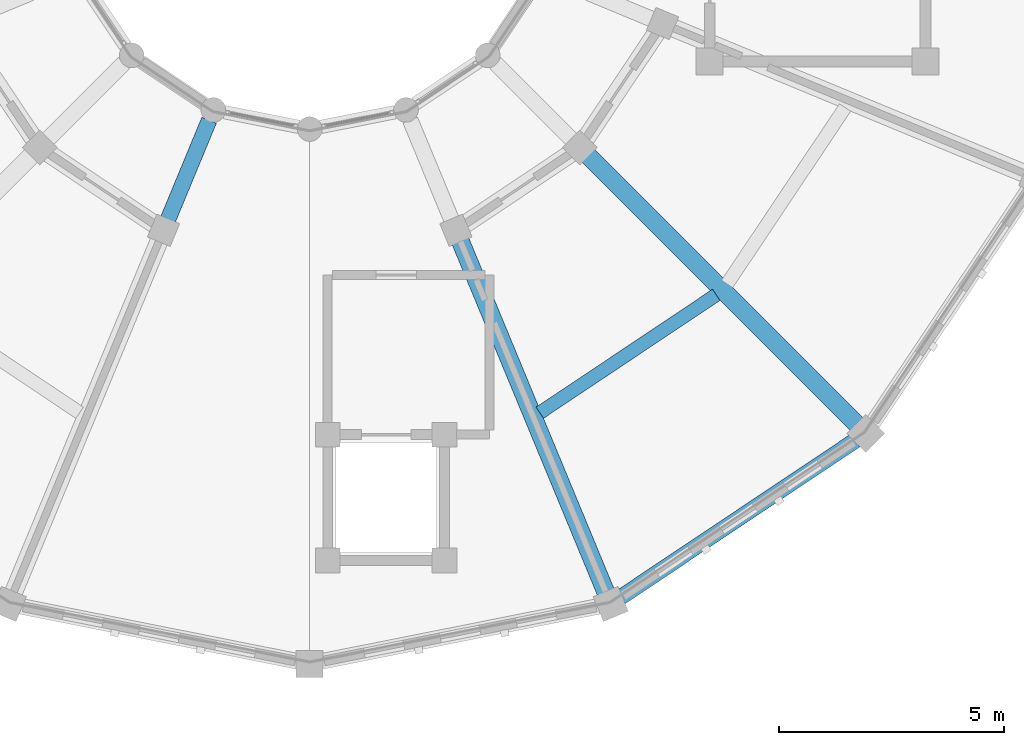
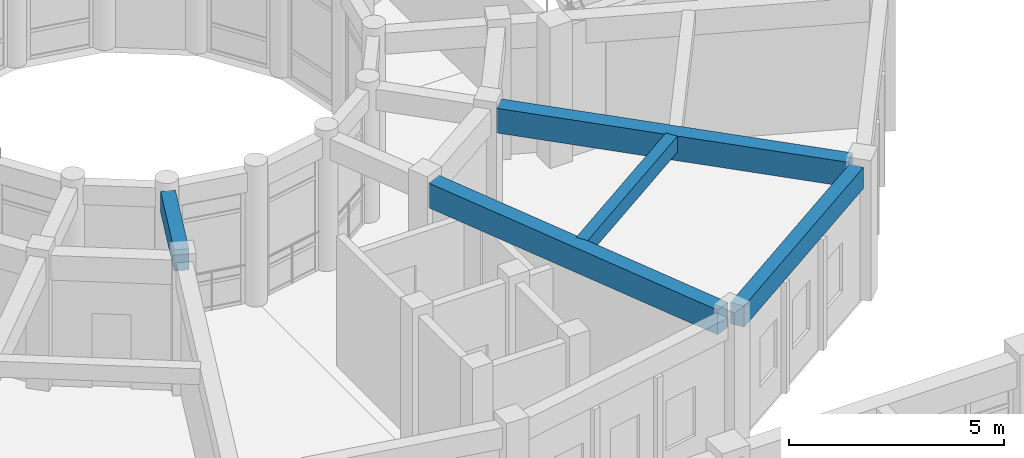
# One storey, part 54 of 159: 5 beams.
"""IFC4 building model written with IfcOpenShell, lengths in metres."""

import ifcopenshell
import ifcopenshell.guid

model = None  # the IFC model being written
_history = None  # IfcOwnerHistory: only IFC2X3 demands one
_inside = {}  # id of a spatial element -> (the spatial element, [elements in it])
_under = {}  # id of a project, library or spatial element -> (it, [spatial elements below it])
_declared = {}  # id of a project -> (the project, [libraries it declares])
_typed = {}  # id of a type object -> (the type object, [elements of that type])
_made_of = {}  # id of a material, layer set ... -> (it, [elements and type objects made of it])


def new_model(schema):
    """Start an empty IFC model of exactly this schema.

    Asked for "IFC4X3", IfcOpenShell would pick the latest addendum, in which some entities
    have other attributes; the version numbers below select the first issue.
    IFC2X3 requires an IfcOwnerHistory on every rooted entity: one is made here for all.
    """
    global model, _history
    if schema == "IFC4X3":
        model = ifcopenshell.file(schema_version=(4, 3, 0, 0))
    else:
        model = ifcopenshell.file(schema=schema)
    _inside.clear()
    _under.clear()
    _declared.clear()
    _typed.clear()
    _made_of.clear()
    _history = None
    if model.schema == "IFC2X3":
        org = make("IfcOrganization", Name="unknown")
        user = make(
            "IfcPersonAndOrganization",
            ThePerson=make("IfcPerson", FamilyName="unknown"),
            TheOrganization=org,
        )
        app = make(
            "IfcApplication",
            ApplicationDeveloper=org,
            Version="unknown",
            ApplicationFullName="unknown",
            ApplicationIdentifier="unknown",
        )
        _history = make(
            "IfcOwnerHistory",
            OwningUser=user,
            OwningApplication=app,
            ChangeAction="ADDED",
            CreationDate=0,
        )
    return model


def make(cls, **values):
    """One entity of the class cls with the attributes given. An attribute that is None is left unset."""
    return model.create_entity(
        cls, **{name: value for name, value in values.items() if value is not None}
    )


def rooted(cls, **values):
    """An entity with a GlobalId (a new one), such as an element, a storey or a relation."""
    return make(cls, GlobalId=ifcopenshell.guid.new(), OwnerHistory=_history, **values)


def si_unit(unit_type, name, prefix=None):
    """IfcSIUnit, for example si_unit("LENGTHUNIT", "METRE", prefix="MILLI")."""
    return make("IfcSIUnit", UnitType=unit_type, Prefix=prefix, Name=name)


def assignment(units):
    """IfcUnitAssignment: the units of a project."""
    return None if units is None else make("IfcUnitAssignment", Units=units)


def point(xyz):
    """IfcCartesianPoint."""
    return None if xyz is None else make("IfcCartesianPoint", Coordinates=xyz)


def direction(xyz):
    """IfcDirection."""
    return None if xyz is None else make("IfcDirection", DirectionRatios=xyz)


def frame(location, z_axis=None, x_axis=None):
    """IfcAxis2Placement3D, a coordinate frame: its origin and axes. An axis left out is left unset."""
    return make(
        "IfcAxis2Placement3D",
        Location=point(location),
        Axis=direction(z_axis),
        RefDirection=direction(x_axis),
    )


def frame_2d(location, x_axis=None):
    """IfcAxis2Placement2D, a coordinate frame in the plane: its origin and x axis."""
    return make(
        "IfcAxis2Placement2D", Location=point(location), RefDirection=direction(x_axis)
    )


def origin():
    """The frame at (0, 0, 0) with its axes left unset."""
    return frame((0.0, 0.0, 0.0))


def origin_2d():
    """The frame at (0, 0) in the plane with its x axis left unset."""
    return frame_2d((0.0, 0.0))


def place(relative_to, where):
    """IfcLocalPlacement: puts the frame where relative to a parent placement (None: the world)."""
    return make(
        "IfcLocalPlacement", PlacementRelTo=relative_to, RelativePlacement=where
    )


def context(
    kind, dimensions, precision=None, world=None, true_north=None, identifier=None
):
    """IfcGeometricRepresentationContext, for example the 3D "Model" context."""
    return make(
        "IfcGeometricRepresentationContext",
        ContextIdentifier=identifier,
        ContextType=kind,
        CoordinateSpaceDimension=dimensions,
        Precision=precision,
        WorldCoordinateSystem=world,
        TrueNorth=true_north,
    )


def subcontext(parent, identifier, kind, view, scale=None):
    """IfcGeometricRepresentationSubContext, for example "Body" below "Model"."""
    return make(
        "IfcGeometricRepresentationSubContext",
        ContextIdentifier=identifier,
        ContextType=kind,
        ParentContext=parent,
        TargetScale=scale,
        TargetView=view,
    )


def project(units=None, contexts=None):
    """IfcProject with its units and contexts."""
    return rooted(
        "IfcProject",
        Name="project",
        RepresentationContexts=contexts,
        UnitsInContext=assignment(units),
    )


def spatial(cls, under=None, at=None, **own):
    """A site, building, storey or space (cls), placed at a placement, below another one or the project."""
    s = rooted(cls, ObjectPlacement=at, **own)
    if under is not None:
        _under.setdefault(under.id(), (under, []))[1].append(s)
    return s


def profile(cls, at=None, kind="AREA", **sizes):
    """A parametric profile (cls). Its sizes go by their IFC names, for example OverallWidth=200.0."""
    return make(cls, ProfileType=kind, Position=at, **sizes)


def rectangle(**sizes):
    """IfcRectangleProfileDef."""
    return profile("IfcRectangleProfileDef", **sizes)


def extrude(swept, where, along, depth):
    """IfcExtrudedAreaSolid: the profile swept, set in the frame where, extruded along a direction by depth."""
    return make(
        "IfcExtrudedAreaSolid",
        SweptArea=swept,
        Position=where,
        ExtrudedDirection=direction(along),
        Depth=depth,
    )


def shape(context_of_items, identifier, shape_type, items):
    """IfcShapeRepresentation: the items that make up one representation, for example the "Body"."""
    return make(
        "IfcShapeRepresentation",
        ContextOfItems=context_of_items,
        RepresentationIdentifier=identifier,
        RepresentationType=shape_type,
        Items=items,
    )


def material(Name=None, Category=None):
    """IfcMaterial."""
    return make("IfcMaterial", Name=Name, Category=Category)


def material_profile(
    of_material, cross_section, Name=None, Category=None, Priority=None
):
    """IfcMaterialProfile: a cross section and its material."""
    return make(
        "IfcMaterialProfile",
        Name=Name,
        Material=of_material,
        Profile=cross_section,
        Priority=Priority,
        Category=Category,
    )


def profile_set(profiles, Name=None, composite=None):
    """IfcMaterialProfileSet."""
    return make(
        "IfcMaterialProfileSet",
        Name=Name,
        MaterialProfiles=profiles,
        CompositeProfile=composite,
    )


def made_of(thing, what):
    """Note that an element or type object is made of a material, layer set ...; save() writes the relation."""
    if what is not None:
        _made_of.setdefault(what.id(), (what, []))[1].append(thing)
    return thing


def type_object(cls, material=None, **own):
    """A type object (cls), such as IfcWallType, which elements share."""
    return made_of(rooted(cls, **own), material)


def element(
    cls,
    number,
    at=None,
    inside=None,
    cuts=None,
    type_object=None,
    material=None,
    context=None,
    identifier="Body",
    shape_type=None,
    held_by="IfcProductDefinitionShape",
    body=None,
    shapes=None,
    **own,
):
    """One element of the class cls, such as IfcWall. Its Tag is "e" and its number.

    at: its placement. inside: the storey or other place that contains it. cuts: it is an
    opening in that element (IfcRelVoidsElement). A single representation is given by context,
    identifier, shape_type and body (its items); several are given by shapes. held_by: the class
    of the entity that holds the representations. save() writes the other relations.
    """
    e = rooted(cls, Tag="e%d" % number, ObjectPlacement=at, **own)
    if body is not None:
        shapes = [shape(context, identifier, shape_type, body)]
    if shapes is not None:
        e.Representation = make(held_by, Representations=shapes)
    if inside is not None:
        _inside.setdefault(inside.id(), (inside, []))[1].append(e)
    if cuts is not None:
        rooted(
            "IfcRelVoidsElement", RelatingBuildingElement=cuts, RelatedOpeningElement=e
        )
    if type_object is not None:
        _typed.setdefault(type_object.id(), (type_object, []))[1].append(e)
    return made_of(e, material)


def aggregate(whole, parts):
    """IfcRelAggregates: a whole, such as a stair, and the parts it consists of."""
    return rooted("IfcRelAggregates", RelatingObject=whole, RelatedObjects=parts)


def save(model, path):
    """Write the relations noted so far, then the file.

    IfcRelAggregates (storeys below a building ...), IfcRelContainedInSpatialStructure (elements
    in a storey), IfcRelDefinesByType, IfcRelAssociatesMaterial and IfcRelDeclares: one each for
    every whole, place, type object, material and project.
    """
    for whole, parts in _under.values():
        aggregate(whole, parts)
    for where, things in _inside.values():
        rooted(
            "IfcRelContainedInSpatialStructure",
            RelatedElements=things,
            RelatingStructure=where,
        )
    for kind, things in _typed.values():
        rooted("IfcRelDefinesByType", RelatedObjects=things, RelatingType=kind)
    for what, things in _made_of.values():
        rooted("IfcRelAssociatesMaterial", RelatedObjects=things, RelatingMaterial=what)
    for by, libraries in _declared.values():
        rooted("IfcRelDeclares", RelatingContext=by, RelatedDefinitions=libraries)
    model.write(path)


model = new_model("IFC4")

# Units and contexts
model_context = context("Model", 3, precision=1e-05, world=origin(), true_north=direction((0.0, 1.0)))
body_context = subcontext(model_context, "Body", "Model", "MODEL_VIEW")
ifc_project = project(units=[si_unit("LENGTHUNIT", "METRE"), si_unit("AREAUNIT", "SQUARE_METRE"), si_unit("VOLUMEUNIT", "CUBIC_METRE"), si_unit("PLANEANGLEUNIT", "RADIAN"), si_unit("MASSUNIT", "GRAM", prefix="KILO")], contexts=[model_context])

# Site, building, storey
site_placement = place(None, origin())
site = spatial("IfcSite", under=ifc_project, at=site_placement, CompositionType="ELEMENT")
building_placement = place(site_placement, origin())
building = spatial("IfcBuilding", under=site, at=building_placement, Name="Celadon Cloister-Ring School", CompositionType="ELEMENT")
storey_placement = place(building_placement, frame((0.0, 0.0, 4.5)))
storey = spatial("IfcBuildingStorey", under=building, at=storey_placement, Name="L01", CompositionType="ELEMENT", Elevation=4.5)

# Beams
ifc_material_1 = material(Name="Concrete C35/45", Category="concrete")
ifc_material_profile_1 = material_profile(ifc_material_1, rectangle(XDim=0.35009765625, YDim=0.60009765625, at=origin_2d()), Name="RC350X600")
ifc_profile_set_1 = profile_set([ifc_material_profile_1], Name="Concrete C35/45")
beam_type_1 = type_object("IfcBeamType", Name="BT-02", PredefinedType="BEAM", material=ifc_profile_set_1)
beam_1_placement = place(storey_placement, frame((17.04296875, 89.3779296875, 3.47998046875), z_axis=(0.382555476978, 0.923932522988, 0.0), x_axis=(-0.923932522988, 0.382555476978, 0.0)))
element("IfcBeam", 1, at=beam_1_placement, inside=storey, type_object=beam_type_1, Name="Beam 0677", PredefinedType="BEAM", context=body_context, shape_type="SweptSolid", body=[
    extrude(rectangle(XDim=0.35009765625, YDim=0.60009765625, at=origin_2d()), origin(), (0.0, 0.0, 1.0), 2.399658203125),
])
ifc_material_2 = material(Name="Concrete C35/45", Category="concrete")
ifc_material_profile_2 = material_profile(ifc_material_2, rectangle(XDim=0.39990234375, YDim=0.699951171875, at=origin_2d()), Name="RC400X700")
ifc_profile_set_2 = profile_set([ifc_material_profile_2], Name="Concrete C35/45")
beam_type_2 = type_object("IfcBeamType", Name="GT-03", PredefinedType="USERDEFINED", material=ifc_profile_set_2)
beam_2_placement = place(storey_placement, frame((26.7919921875, 81.0859375, 3.429931640625), z_axis=(-0.382642680076, 0.923896411609, 0.0), x_axis=(-0.923896411609, -0.382642680076, 0.0)))
element("IfcBeam", 2, at=beam_2_placement, inside=storey, type_object=beam_type_2, Name="Beam 0678", ObjectType="GIRDER", PredefinedType="USERDEFINED", context=body_context, shape_type="SweptSolid", body=[
    extrude(rectangle(XDim=0.39990234375, YDim=0.699951171875, at=origin_2d()), origin(), (0.0, 0.0, 1.0), 8.47509765625),
])
beam_3_placement = place(storey_placement, frame((32.3798828125, 84.820068359375, 3.429931640625), z_axis=(-0.707106781187, 0.707106781187, 0.0), x_axis=(-0.707106781187, -0.707106781187, 0.0)))
element("IfcBeam", 3, at=beam_3_placement, inside=storey, type_object=beam_type_2, Name="Beam 0680", ObjectType="GIRDER", PredefinedType="USERDEFINED", context=body_context, shape_type="SweptSolid", body=[
    extrude(rectangle(XDim=0.39990234375, YDim=0.699951171875, at=origin_2d()), origin(), (0.0, 0.0, 1.0), 8.475341796875),
])
ifc_material_3 = material(Name="Concrete C35/45", Category="concrete")
ifc_material_profile_3 = material_profile(ifc_material_3, rectangle(XDim=0.300048828125, YDim=0.449951171875, at=origin_2d()), Name="RC300X450")
ifc_profile_set_3 = profile_set([ifc_material_profile_3], Name="Concrete C35/45")
beam_type_3 = type_object("IfcBeamType", Name="JT-01", PredefinedType="JOIST", material=ifc_profile_set_3)
beam_4_placement = place(storey_placement, frame((25.321044921875, 85.0869140625, 3.554931640625), z_axis=(0.831333623542, 0.55577370068, 0.0), x_axis=(-0.55577370068, 0.831333623542, 0.0)))
element("IfcBeam", 4, at=beam_4_placement, inside=storey, type_object=beam_type_3, Name="Beam 0727", PredefinedType="JOIST", context=body_context, shape_type="SweptSolid", body=[
    extrude(rectangle(XDim=0.300048828125, YDim=0.449951171875, at=origin_2d()), origin(), (0.0, 0.0, 1.0), 4.721435546875),
])
ifc_material_4 = material(Name="Concrete C35/45", Category="concrete")
ifc_material_profile_4 = material_profile(ifc_material_4, rectangle(XDim=0.35009765625, YDim=0.60009765625, at=origin_2d()), Name="RC350X600")
ifc_profile_set_4 = profile_set([ifc_material_profile_4], Name="Concrete C35/45")
beam_type_4 = type_object("IfcBeamType", Name="SP-01", PredefinedType="SPANDREL", material=ifc_profile_set_4)
beam_5_placement = place(storey_placement, frame((27.1259765625, 80.985107421875, 3.47998046875), z_axis=(0.831427473898, 0.555633292422, 0.0), x_axis=(-0.555633292422, 0.831427473898, 0.0)))
element("IfcBeam", 5, at=beam_5_placement, inside=storey, type_object=beam_type_4, Name="Beam 0724", PredefinedType="SPANDREL", context=body_context, shape_type="SweptSolid", body=[
    extrude(rectangle(XDim=0.35009765625, YDim=0.60009765625, at=origin_2d()), origin(), (0.0, 0.0, 1.0), 6.277099609375),
])

save(model, "model.ifc")
